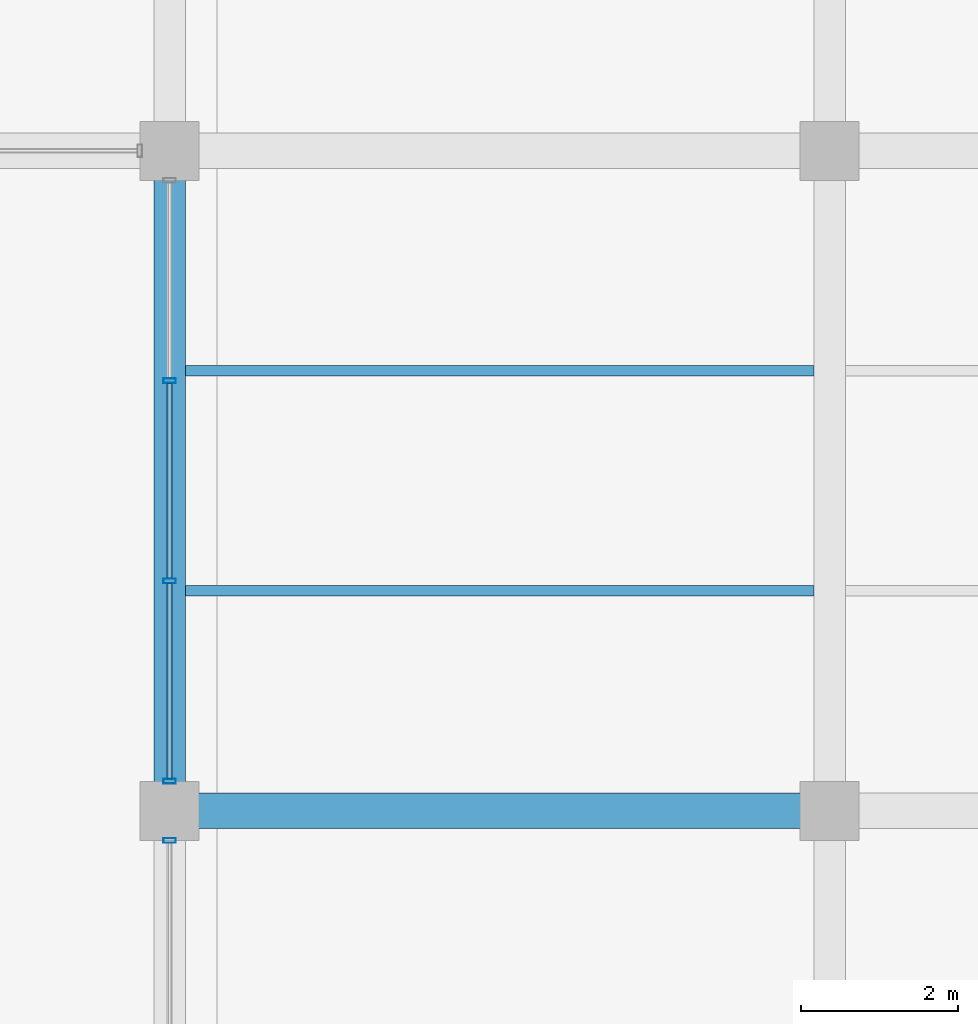
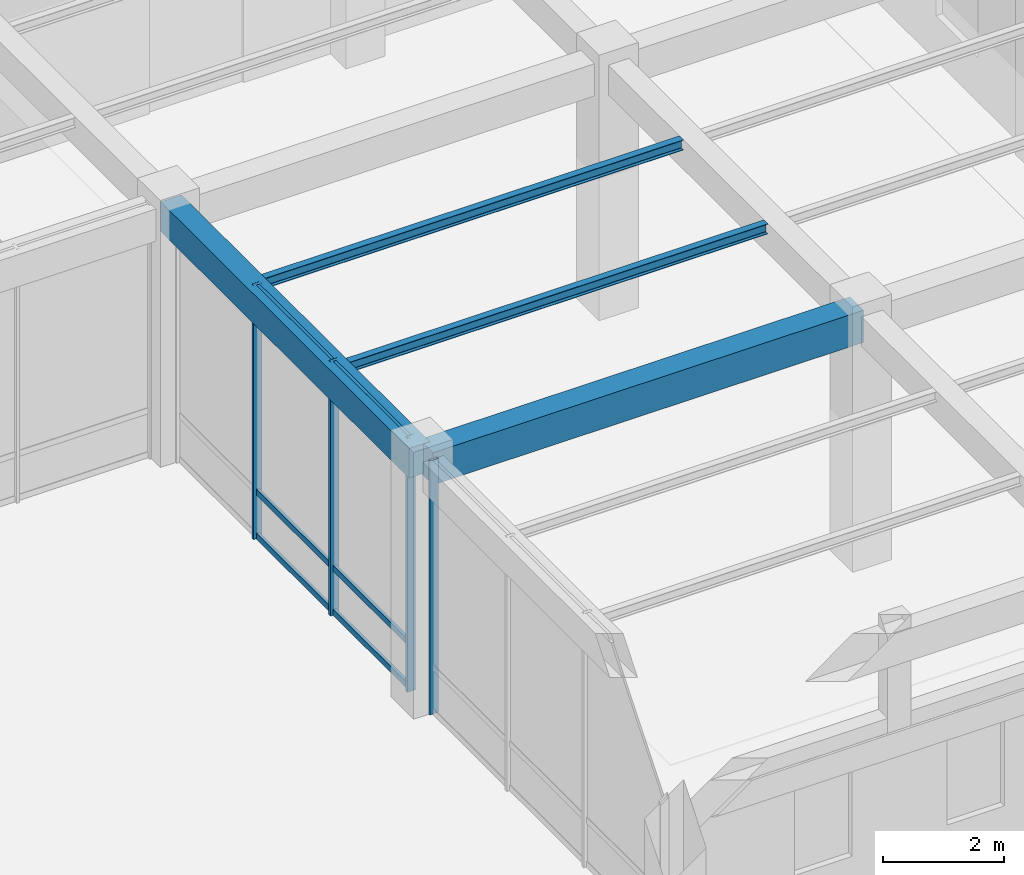
# One storey, part 17 of 157: 10 members, 4 beams, 2 elements without a shape of their own.
"""IFC4 building model written with IfcOpenShell, lengths in metres."""

from ifc_helpers import new_model, si_unit, direction, frame, origin, origin_2d, place, context, subcontext, project, spatial, rectangle, hollow_rectangle, i_section, extrude, material, material_profile, profile_set, type_object, element, aggregate, save


model = new_model("IFC4")

# Units and contexts
model_context = context("Model", 3, precision=1e-05, world=origin(), true_north=direction((0.0, 1.0)))
body_context = subcontext(model_context, "Body", "Model", "MODEL_VIEW")
ifc_project = project(units=[si_unit("LENGTHUNIT", "METRE"), si_unit("AREAUNIT", "SQUARE_METRE"), si_unit("VOLUMEUNIT", "CUBIC_METRE"), si_unit("PLANEANGLEUNIT", "RADIAN"), si_unit("MASSUNIT", "GRAM", prefix="KILO"), si_unit("THERMODYNAMICTEMPERATUREUNIT", "KELVIN"), si_unit("POWERUNIT", "WATT")], contexts=[model_context])

# Site, building, storey
site_placement = place(None, origin())
site = spatial("IfcSite", under=ifc_project, at=site_placement, CompositionType="ELEMENT")
building_placement = place(site_placement, origin())
building = spatial("IfcBuilding", under=site, at=building_placement, Name="Darbajah Civic Hall", CompositionType="ELEMENT")
storey_placement = place(building_placement, origin())
storey = spatial("IfcBuildingStorey", under=building, at=storey_placement, Name="L00", CompositionType="ELEMENT", Elevation=0.0)

# Curtain wall, members
ifc_material_1 = material(Name="Anodised Bronze Aluminium and Low-E Glazing", Category="aluminium")
curtain_wall_type = type_object("IfcCurtainWallType", Name="Unitised Curtain Wall CW-98 7600x5150", PredefinedType="USERDEFINED", material=ifc_material_1)
curtain_wall_1_placement = place(storey_placement, origin())
curtain_wall_1 = element("IfcCurtainWall", 1, at=curtain_wall_1_placement, inside=storey, type_object=curtain_wall_type, Name="L00 unitised curtain wall CW-V5-L00-S3-B0", ObjectType="UNITISED CURTAIN WALL", PredefinedType="USERDEFINED")
ifc_material_2 = material(Name="Anodised Bronze Aluminium", Category="aluminium")
ifc_material_profile_1 = material_profile(ifc_material_2, hollow_rectangle(XDim=0.06005859375, YDim=0.159912109375, WallThickness=0.00341796875, at=origin_2d()), Name="ALU MULLION 60x160")
ifc_profile_set_1 = profile_set([ifc_material_profile_1], Name="Anodised Bronze Aluminium")
member_type_1 = type_object("IfcMemberType", Name="ALU MULLION 60x160", PredefinedType="MULLION", material=ifc_profile_set_1)
member_1_placement = place(storey_placement, frame((50.39990234375, 13.874267578125, 0.0), z_axis=(0.0, 0.0, 1.0), x_axis=(0.0, -1.0, 0.0)))
member_1 = element("IfcMember", 2, at=member_1_placement, type_object=member_type_1, Name="CW-V5-L00-S3-B0 mullion 2", PredefinedType="MULLION", context=body_context, shape_type="SweptSolid", body=[
    extrude(hollow_rectangle(XDim=0.06005859375, YDim=0.159912109375, WallThickness=0.00341796875, at=origin_2d()), origin(), (0.0, 0.0, 1.0), 5.139892578125),
])
member_2_placement = place(storey_placement, frame((50.39990234375, 11.32568359375, 0.0), z_axis=(0.0, 0.0, 1.0), x_axis=(0.0, -1.0, 0.0)))
member_2 = element("IfcMember", 3, at=member_2_placement, type_object=member_type_1, Name="CW-V5-L00-S3-B0 mullion 3", PredefinedType="MULLION", context=body_context, shape_type="SweptSolid", body=[
    extrude(hollow_rectangle(XDim=0.06005859375, YDim=0.159912109375, WallThickness=0.00341796875, at=origin_2d()), origin(), (0.0, 0.0, 1.0), 5.139892578125),
])
member_3_placement = place(storey_placement, frame((50.39990234375, 8.777099609375, 0.0), z_axis=(0.0, 0.0, 1.0), x_axis=(0.0, -1.0, 0.0)))
member_3 = element("IfcMember", 4, at=member_3_placement, type_object=member_type_1, Name="CW-V5-L00-S3-B0 mullion 4", PredefinedType="MULLION", context=body_context, shape_type="SweptSolid", body=[
    extrude(hollow_rectangle(XDim=0.06005859375, YDim=0.159912109375, WallThickness=0.00341796875, at=origin_2d()), origin(), (0.0, 0.0, 1.0), 5.139892578125),
])

# Curtain wall, member
curtain_wall_2_placement = place(storey_placement, origin())
curtain_wall_2 = element("IfcCurtainWall", 5, at=curtain_wall_2_placement, inside=storey, type_object=curtain_wall_type, Name="L00 unitised curtain wall CW-V5-L00-S3-B1", ObjectType="UNITISED CURTAIN WALL", PredefinedType="USERDEFINED")
member_4_placement = place(storey_placement, frame((50.39990234375, 8.02294921875, 0.0), z_axis=(0.0, 0.0, 1.0), x_axis=(0.0, -1.0, 0.0)))
member_4 = element("IfcMember", 6, at=member_4_placement, type_object=member_type_1, Name="CW-V5-L00-S3-B1 mullion 1", PredefinedType="MULLION", context=body_context, shape_type="SweptSolid", body=[
    extrude(hollow_rectangle(XDim=0.06005859375, YDim=0.159912109375, WallThickness=0.00341796875, at=origin_2d()), origin(), (0.0, 0.0, 1.0), 5.139892578125),
])
aggregate(curtain_wall_2, [member_4])

# Member
ifc_material_profile_2 = material_profile(ifc_material_2, hollow_rectangle(XDim=0.06005859375, YDim=0.1201171875, WallThickness=0.003173828125, at=origin_2d()), Name="ALU TRANSOM 60x120")
ifc_profile_set_2 = profile_set([ifc_material_profile_2], Name="Anodised Bronze Aluminium")
member_type_2 = type_object("IfcMemberType", Name="ALU TRANSOM 60x120", PredefinedType="USERDEFINED", material=ifc_profile_set_2)
member_5_placement = place(storey_placement, frame((50.39990234375, 13.83935546875, 0.06005859375), z_axis=(0.0, -1.0, 0.0), x_axis=(1.0, 0.0, 0.0)))
member_5 = element("IfcMember", 7, at=member_5_placement, type_object=member_type_2, Name="CW-V5-L00-S3-B0 transom 2.1", ObjectType="TRANSOM", PredefinedType="USERDEFINED", context=body_context, shape_type="SweptSolid", body=[
    extrude(hollow_rectangle(XDim=0.06005859375, YDim=0.1201171875, WallThickness=0.003173828125, at=origin_2d()), origin(), (0.0, 0.0, 1.0), 2.478759765625),
])

member_6_placement = place(storey_placement, frame((50.39990234375, 13.83935546875, 0.949951171875), z_axis=(0.0, -1.0, 0.0), x_axis=(1.0, 0.0, 0.0)))
member_6 = element("IfcMember", 8, at=member_6_placement, type_object=member_type_2, Name="CW-V5-L00-S3-B0 transom 2.2", ObjectType="TRANSOM", PredefinedType="USERDEFINED", context=body_context, shape_type="SweptSolid", body=[
    extrude(hollow_rectangle(XDim=0.06005859375, YDim=0.1201171875, WallThickness=0.003173828125, at=origin_2d()), origin(), (0.0, 0.0, 1.0), 2.478759765625),
])

member_7_placement = place(storey_placement, frame((50.39990234375, 13.83935546875, 5.080078125), z_axis=(0.0, -1.0, 0.0), x_axis=(1.0, 0.0, 0.0)))
member_7 = element("IfcMember", 9, at=member_7_placement, type_object=member_type_2, Name="CW-V5-L00-S3-B0 transom 2.3", ObjectType="TRANSOM", PredefinedType="USERDEFINED", context=body_context, shape_type="SweptSolid", body=[
    extrude(hollow_rectangle(XDim=0.06005859375, YDim=0.1201171875, WallThickness=0.003173828125, at=origin_2d()), origin(), (0.0, 0.0, 1.0), 2.478759765625),
])

member_8_placement = place(storey_placement, frame((50.39990234375, 11.290771484375, 0.06005859375), z_axis=(0.0, -1.0, 0.0), x_axis=(1.0, 0.0, 0.0)))
member_8 = element("IfcMember", 10, at=member_8_placement, type_object=member_type_2, Name="CW-V5-L00-S3-B0 transom 3.1", ObjectType="TRANSOM", PredefinedType="USERDEFINED", context=body_context, shape_type="SweptSolid", body=[
    extrude(hollow_rectangle(XDim=0.06005859375, YDim=0.1201171875, WallThickness=0.003173828125, at=origin_2d()), origin(), (0.0, 0.0, 1.0), 2.478759765625),
])

member_9_placement = place(storey_placement, frame((50.39990234375, 11.290771484375, 0.949951171875), z_axis=(0.0, -1.0, 0.0), x_axis=(1.0, 0.0, 0.0)))
member_9 = element("IfcMember", 11, at=member_9_placement, type_object=member_type_2, Name="CW-V5-L00-S3-B0 transom 3.2", ObjectType="TRANSOM", PredefinedType="USERDEFINED", context=body_context, shape_type="SweptSolid", body=[
    extrude(hollow_rectangle(XDim=0.06005859375, YDim=0.1201171875, WallThickness=0.003173828125, at=origin_2d()), origin(), (0.0, 0.0, 1.0), 2.478759765625),
])

member_10_placement = place(storey_placement, frame((50.39990234375, 11.290771484375, 5.080078125), z_axis=(0.0, -1.0, 0.0), x_axis=(1.0, 0.0, 0.0)))
member_10 = element("IfcMember", 12, at=member_10_placement, type_object=member_type_2, Name="CW-V5-L00-S3-B0 transom 3.3", ObjectType="TRANSOM", PredefinedType="USERDEFINED", context=body_context, shape_type="SweptSolid", body=[
    extrude(hollow_rectangle(XDim=0.06005859375, YDim=0.1201171875, WallThickness=0.003173828125, at=origin_2d()), origin(), (0.0, 0.0, 1.0), 2.478759765625),
])

aggregate(curtain_wall_1, [member_1, member_2, member_3, member_5, member_6, member_7, member_8, member_9, member_10])

# Beams
ifc_material_3 = material(Name="Concrete C45/55", Category="concrete")
ifc_material_profile_3 = material_profile(ifc_material_3, rectangle(XDim=0.39990234375, YDim=0.60009765625, at=origin_2d()), Name="RC BEAM 400x600")
ifc_profile_set_3 = profile_set([ifc_material_profile_3], Name="Concrete C45/55")
beam_type_1 = type_object("IfcBeamType", Name="RC BEAM 400x600", PredefinedType="BEAM", material=ifc_profile_set_3)
beam_1_placement = place(storey_placement, frame((50.39990234375, 8.47998046875, 4.840087890625), z_axis=(0.0, 1.0, 0.0), x_axis=(-1.0, 0.0, 0.0)))
element("IfcBeam", 13, at=beam_1_placement, inside=storey, type_object=beam_type_1, Name="L00 beam BM-4060", PredefinedType="BEAM", context=body_context, shape_type="SweptSolid", body=[
    extrude(rectangle(XDim=0.39990234375, YDim=0.60009765625, at=origin_2d()), origin(), (0.0, 0.0, 1.0), 8.239990234375),
])
ifc_material_profile_4 = material_profile(ifc_material_3, rectangle(XDim=0.449951171875, YDim=0.64990234375, at=origin_2d()), Name="RC BEAM 450x650")
ifc_profile_set_4 = profile_set([ifc_material_profile_4], Name="Concrete C45/55")
beam_type_2 = type_object("IfcBeamType", Name="RC BEAM 450x650", PredefinedType="BEAM", material=ifc_profile_set_4)
beam_2_placement = place(storey_placement, frame((50.47998046875, 8.39990234375, 4.81494140625), z_axis=(1.0, 0.0, 0.0), x_axis=(0.0, 1.0, 0.0)))
element("IfcBeam", 14, at=beam_2_placement, inside=storey, type_object=beam_type_2, Name="L00 beam BM-4565", PredefinedType="BEAM", context=body_context, shape_type="SweptSolid", body=[
    extrude(rectangle(XDim=0.449951171875, YDim=0.64990234375, at=origin_2d()), origin(), (0.0, 0.0, 1.0), 8.239990234375),
])
ifc_material_4 = material(Name="Steel S355JR", Category="steel")
ifc_material_profile_5 = material_profile(ifc_material_4, i_section(OverallWidth=0.1337890625, OverallDepth=0.206787109375, WebThickness=0.00634765625, FlangeThickness=0.009521484375, FilletRadius=0.007568359375, at=origin_2d()), Name="UB 203x133x30")
ifc_profile_set_5 = profile_set([ifc_material_profile_5], Name="Steel S355JR")
beam_type_3 = type_object("IfcBeamType", Name="UB 203x133x30", PredefinedType="JOIST", material=ifc_profile_set_5)
for number, where, z_axis, x_axis, name in (
    (15, (50.60009765625, 11.199951171875, 5.03662109375), (1.0, 0.0, 0.0), (0.0, 1.0, 0.0), "L00 beam SJ-203"),
    (16, (50.60009765625, 14.0, 5.03662109375), (1.0, 0.0, 0.0), (0.0, 1.0, 0.0), "L00 beam SJ-203"),
):
    element("IfcBeam", number, at=place(storey_placement, frame(where, z_axis=z_axis, x_axis=x_axis)), inside=storey, type_object=beam_type_3, Name=name, PredefinedType="JOIST", context=body_context, shape_type="SweptSolid", body=[
        extrude(i_section(OverallWidth=0.1337890625, OverallDepth=0.206787109375, WebThickness=0.00634765625, FlangeThickness=0.009521484375, FilletRadius=0.007568359375, at=origin_2d()), origin(), (0.0, 0.0, 1.0), 8.0),
    ])

save(model, "model.ifc")
